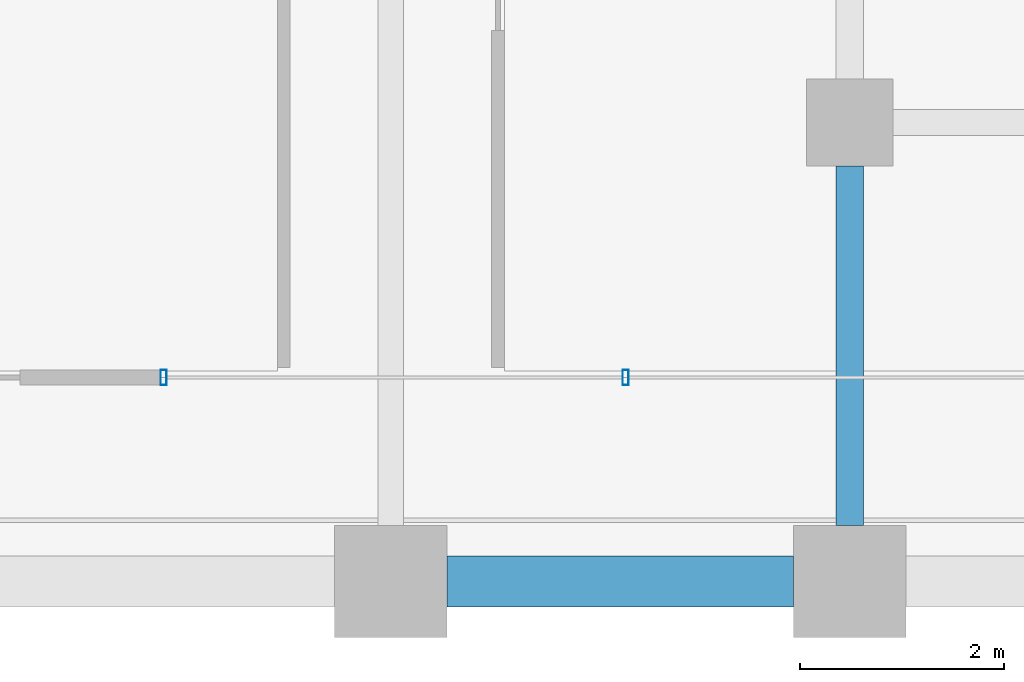
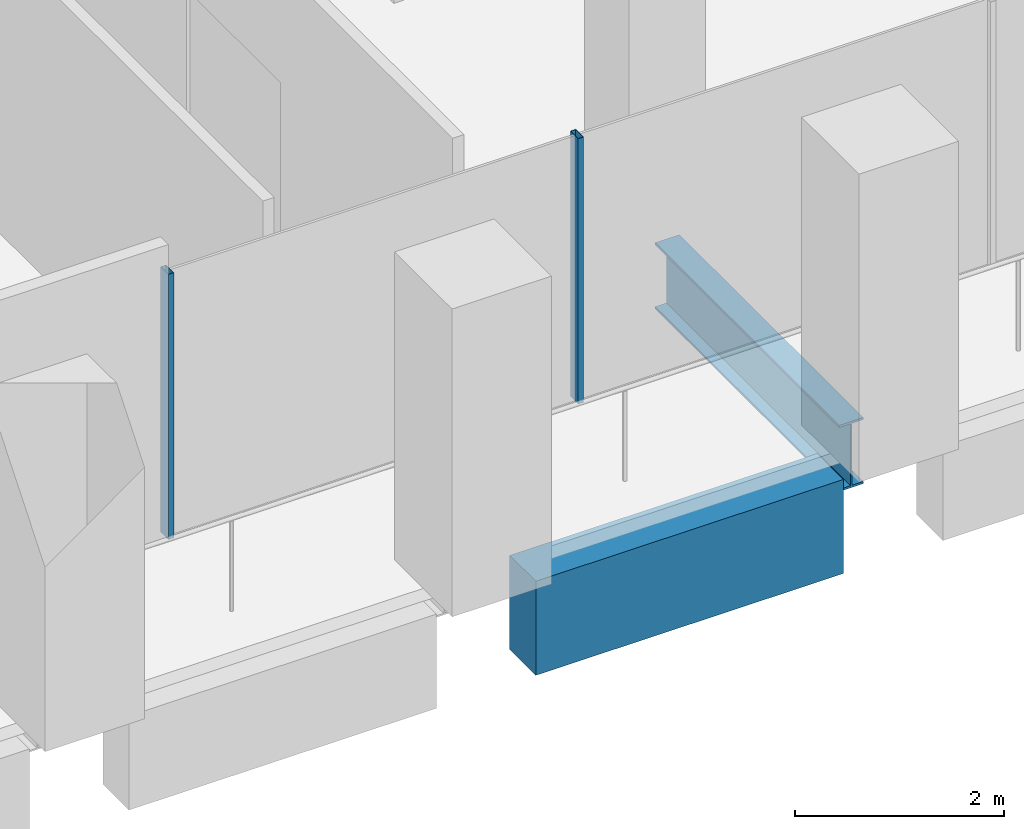
# One storey, part 9 of 54: 2 beams, 2 members, 1 element without a shape of its own.
"""IFC4 building model written with IfcOpenShell, lengths in metres."""

from ifc_helpers import new_model, si_unit, direction, frame, origin, origin_2d, place, context, subcontext, project, spatial, rectangle, hollow_rectangle, i_section, extrude, material, material_profile, profile_set, type_object, element, aggregate, save


model = new_model("IFC4")

# Units and contexts
model_context = context("Model", 3, precision=1e-05, world=origin(), true_north=direction((0.0, 1.0)))
body_context = subcontext(model_context, "Body", "Model", "MODEL_VIEW")
ifc_project = project(units=[si_unit("LENGTHUNIT", "METRE"), si_unit("AREAUNIT", "SQUARE_METRE"), si_unit("VOLUMEUNIT", "CUBIC_METRE"), si_unit("PLANEANGLEUNIT", "RADIAN"), si_unit("MASSUNIT", "GRAM", prefix="KILO")], contexts=[model_context])

# Site, building, storey
site_placement = place(None, origin())
site = spatial("IfcSite", under=ifc_project, at=site_placement, CompositionType="ELEMENT")
building_placement = place(site_placement, origin())
building = spatial("IfcBuilding", under=site, at=building_placement, Name="Altepetl Exchange Towers", CompositionType="ELEMENT")
storey_placement = place(building_placement, frame((0.0, 0.0, 65.39990234375)))
storey = spatial("IfcBuildingStorey", under=building, at=storey_placement, Name="L15", CompositionType="ELEMENT", Elevation=65.39990234375)

# Beam
ifc_material_1 = material(Name="Steel S355", Category="steel")
ifc_material_profile_1 = material_profile(ifc_material_1, i_section(OverallWidth=0.26806640625, OverallDepth=0.77392578125, WebThickness=0.015380859375, FlangeThickness=0.025390625, at=origin_2d()), Name="W30X132")
ifc_profile_set_1 = profile_set([ifc_material_profile_1], Name="Steel S355")
beam_type_1 = type_object("IfcBeamType", Name="Girder W30X132", PredefinedType="BEAM", material=ifc_profile_set_1)
beam_1_placement = place(storey_placement, frame((58.5, 31.074951171875, -0.536865234375), z_axis=(0.0, -1.0, 0.0), x_axis=(1.0, 0.0, 0.0)))
element("IfcBeam", 1, at=beam_1_placement, inside=storey, type_object=beam_type_1, Name="gd:A:L15:008", PredefinedType="BEAM", context=body_context, shape_type="SweptSolid", body=[
    extrude(i_section(OverallWidth=0.26806640625, OverallDepth=0.77392578125, WebThickness=0.015380859375, FlangeThickness=0.025390625, at=origin_2d()), origin(), (0.0, 0.0, 1.0), 3.52490234375),
])

# Curtain wall, members
ifc_material_2 = material(Name="Aluminium 6063-T6 glazing", Category="aluminium")
curtain_wall_type = type_object("IfcCurtainWallType", Name="Loggia glazing system", PredefinedType="NOTDEFINED", material=ifc_material_2)
curtain_wall_placement = place(storey_placement, origin())
curtain_wall = element("IfcCurtainWall", 2, at=curtain_wall_placement, inside=storey, type_object=curtain_wall_type, Name="CW1 run", PredefinedType="NOTDEFINED")
ifc_material_3 = material(Name="Aluminium 6063-T6", Category="aluminium")
ifc_material_profile_2 = material_profile(ifc_material_3, hollow_rectangle(XDim=0.06005859375, YDim=0.14990234375, WallThickness=0.0029296875, at=origin_2d()), Name="Mullion 60x150 aluminium")
ifc_profile_set_2 = profile_set([ifc_material_profile_2], Name="Aluminium 6063-T6")
member_type = type_object("IfcMemberType", Name="Mullion 60x150 aluminium", PredefinedType="MULLION", material=ifc_profile_set_2)
member_1_placement = place(storey_placement, frame((51.77294921875, 29.0, 0.0)))
member_1 = element("IfcMember", 3, at=member_1_placement, type_object=member_type, Name="MU1 mullion", PredefinedType="MULLION", context=body_context, shape_type="SweptSolid", body=[
    extrude(hollow_rectangle(XDim=0.06005859375, YDim=0.14990234375, WallThickness=0.0029296875, at=origin_2d()), origin(), (0.0, 0.0, 1.0), 3.10009765625),
])
member_2_placement = place(storey_placement, frame((56.303466796875, 29.0, 0.0)))
member_2 = element("IfcMember", 4, at=member_2_placement, type_object=member_type, Name="MU1 mullion", PredefinedType="MULLION", context=body_context, shape_type="SweptSolid", body=[
    extrude(hollow_rectangle(XDim=0.06005859375, YDim=0.14990234375, WallThickness=0.0029296875, at=origin_2d()), origin(), (0.0, 0.0, 1.0), 3.10009765625),
])
aggregate(curtain_wall, [member_1, member_2])

# Beam
ifc_material_4 = material(Name="Concrete C50/60 precast with cantera blanca facing", Category="concrete")
ifc_material_profile_3 = material_profile(ifc_material_4, rectangle(XDim=0.5, YDim=1.10009765625, at=origin_2d()), Name="500 x 1100")
ifc_profile_set_3 = profile_set([ifc_material_profile_3], Name="Concrete C50/60 precast with cantera blanca facing")
beam_type_2 = type_object("IfcBeamType", Name="Spandrel beam 500x1100 cantera blanca", PredefinedType="SPANDREL", material=ifc_profile_set_3)
beam_2_placement = place(storey_placement, frame((54.550048828125, 27.0, -0.699951171875), z_axis=(1.0, 0.0, 0.0), x_axis=(0.0, 1.0, 0.0)))
element("IfcBeam", 5, at=beam_2_placement, inside=storey, type_object=beam_type_2, Name="sp:A:L15:005", PredefinedType="SPANDREL", context=body_context, shape_type="SweptSolid", body=[
    extrude(rectangle(XDim=0.5, YDim=1.10009765625, at=origin_2d()), origin(), (0.0, 0.0, 1.0), 3.39990234375),
])

save(model, "model.ifc")
